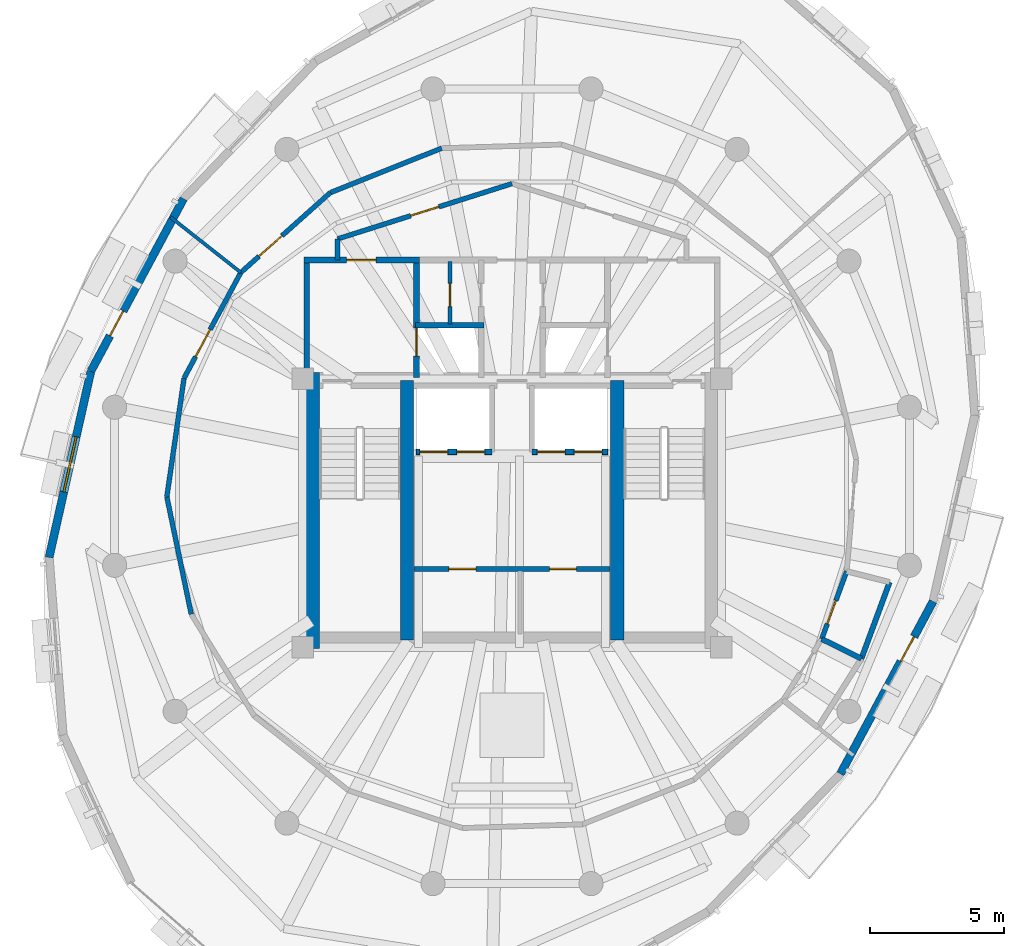
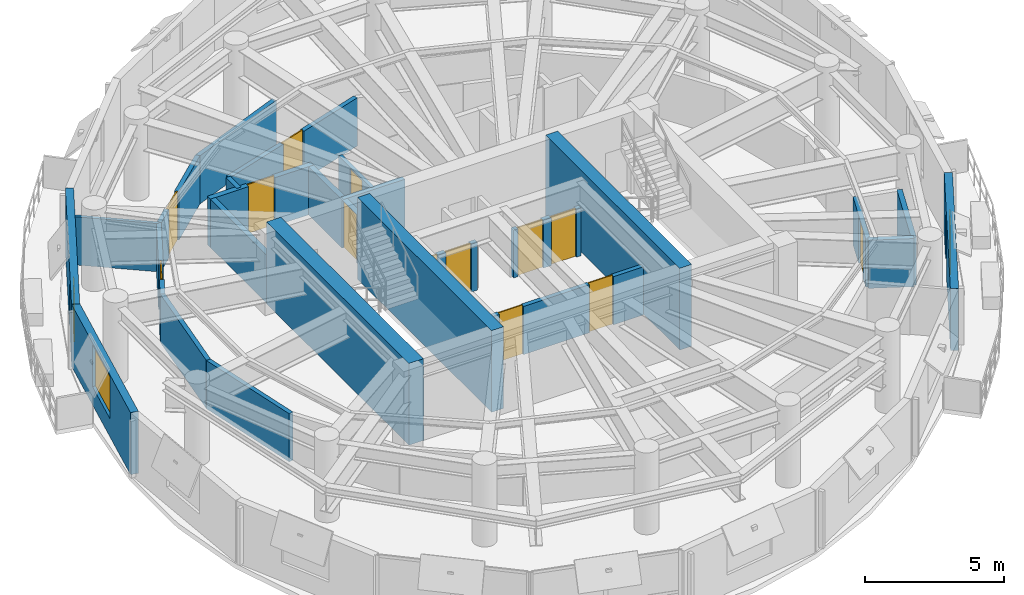
# One storey, part 7 of 11: 25 walls, 15 doors, 1 window, 16 openings.
"""IFC4 building model written with IfcOpenShell, lengths in metres."""

from ifc_helpers import new_model, si_unit, direction, frame, frame_2d, origin, place, context, subcontext, project, spatial, rectangle, extrude, material, layer, layer_set, type_object, element, fill, save


model = new_model("IFC4")

# Units and contexts
model_context = context("Model", 3, precision=1e-05, world=origin(), true_north=direction((0.0, 1.0)))
body_context = subcontext(model_context, "Body", "Model", "MODEL_VIEW")
ifc_project = project(units=[si_unit("LENGTHUNIT", "METRE"), si_unit("AREAUNIT", "SQUARE_METRE"), si_unit("VOLUMEUNIT", "CUBIC_METRE"), si_unit("PLANEANGLEUNIT", "RADIAN"), si_unit("MASSUNIT", "GRAM", prefix="KILO"), si_unit("THERMODYNAMICTEMPERATUREUNIT", "KELVIN"), si_unit("POWERUNIT", "WATT")], contexts=[model_context])

# Site, building, storey
site_placement = place(None, origin())
site = spatial("IfcSite", under=ifc_project, at=site_placement, CompositionType="ELEMENT")
building_placement = place(site_placement, origin())
building = spatial("IfcBuilding", under=site, at=building_placement, Name="Ocrelia Relay Tower", CompositionType="ELEMENT")
storey_placement = place(building_placement, frame((0.0, 0.0, 284.39990234375)))
storey = spatial("IfcBuildingStorey", under=building, at=storey_placement, Name="L71", CompositionType="ELEMENT", Elevation=284.39990234375)

# Walls
ifc_material_1 = material(Name="Concrete C50/60", Category="concrete")
ifc_layer_1 = layer(ifc_material_1, 0.60009765625, Name="Concrete C50/60")
ifc_layer_set_1 = layer_set([ifc_layer_1], Name="Concrete C50/60")
wall_type_1 = type_object("IfcWallType", Name="CW-CORE-600B", PredefinedType="SHEAR", material=ifc_layer_set_1)
wall_1_placement = place(storey_placement, frame((26.52197265625, 19.9619140625, 0.0), z_axis=(0.0, 0.0, 1.0), x_axis=(0.0, 1.0, 0.0)))
element("IfcWall", 1, at=wall_1_placement, inside=storey, type_object=wall_type_1, Name="L71 Core Shear Wall W", PredefinedType="SHEAR", context=body_context, shape_type="SweptSolid", body=[
    extrude(rectangle(XDim=10.276123046875, YDim=0.60009765625, at=frame_2d((5.13818359375, 0.0))), origin(), (0.0, 0.0, 1.0), 3.60009765625),
])
for number, where, z_axis, x_axis, name in (
    (2, (30.087890625, 20.261962890625, 0.0), (0.0, 0.0, 1.0), (0.0, 1.0, 0.0), "L71 Core Shear Wall SPW"),
    (3, (37.922119140625, 20.261962890625, 0.0), (0.0, 0.0, 1.0), (0.0, 1.0, 0.0), "L71 Core Shear Wall SPE"),
):
    element("IfcWall", number, at=place(storey_placement, frame(where, z_axis=z_axis, x_axis=x_axis)), inside=storey, type_object=wall_type_1, Name=name, PredefinedType="SHEAR", context=body_context, shape_type="SweptSolid", body=[
        extrude(rectangle(XDim=9.676025390625, YDim=0.5, at=frame_2d((4.837890625, 0.0))), origin(), (0.0, 0.0, 1.0), 3.60009765625),
    ])

# Wall, openings, doors
ifc_material_2 = material(Name="Gypsum Fireboard Partition EI60", Category="gypsum")
ifc_layer_2 = layer(ifc_material_2, 0.179931640625, Name="Gypsum Fireboard Partition EI60")
ifc_layer_set_2 = layer_set([ifc_layer_2], Name="Gypsum Fireboard Partition EI60")
wall_type_2 = type_object("IfcWallType", Name="W-CORR-EI60-180", PredefinedType="PARTITIONING", material=ifc_layer_set_2)
wall_2_placement = place(storey_placement, frame((30.35009765625, 22.919921875, 0.0), z_axis=(0.0, 0.0, 1.0), x_axis=(1.0, 0.0, 0.0)))
wall_2 = element("IfcWall", 4, at=wall_2_placement, inside=storey, type_object=wall_type_2, Name="L71 Reclaimed Core Room Partition", PredefinedType="PARTITIONING", context=body_context, shape_type="SweptSolid", body=[
    extrude(rectangle(XDim=7.2998046875, YDim=0.179931640625, at=frame_2d((3.64990234375, 0.0))), origin(), (0.0, 0.0, 1.0), 2.1201171875),
])
opening_1_placement = place(wall_2_placement, frame((1.300048828125, 0.0, 0.0)))
opening_1 = element("IfcOpeningElement", 5, at=opening_1_placement, cuts=wall_2, Name="Opening D-RM100", PredefinedType="OPENING", context=body_context, shape_type="SweptSolid", body=[
    extrude(rectangle(XDim=1.0, YDim=2.14990234375, at=frame_2d((0.5, 1.074951171875))), frame((0.0, 0.10009765625, 0.0), z_axis=(0.0, -1.0, 0.0), x_axis=(1.0, 0.0, 0.0)), (0.0, 0.0, 1.0), 0.199951171875),
])
opening_2_placement = place(wall_2_placement, frame((5.050048828125, 0.0, 0.0)))
opening_2 = element("IfcOpeningElement", 6, at=opening_2_placement, cuts=wall_2, Name="Opening D-RM100", PredefinedType="OPENING", context=body_context, shape_type="SweptSolid", body=[
    extrude(rectangle(XDim=1.0, YDim=2.14990234375, at=frame_2d((0.5, 1.074951171875))), frame((0.0, 0.10009765625, 0.0), z_axis=(0.0, -1.0, 0.0), x_axis=(1.0, 0.0, 0.0)), (0.0, 0.0, 1.0), 0.199951171875),
])
ifc_material_3 = material(Name="Acoustic oak veneer fire door", Category="wood")
door_type_1 = type_object("IfcDoorType", Name="DR-ROOM-FD60-1000", OperationType="NOTDEFINED", PredefinedType="DOOR", material=ifc_material_3)
door_1_placement = place(opening_1_placement, origin())
door_1 = element("IfcDoor", 7, at=door_1_placement, inside=storey, type_object=door_type_1, Name="L71 Reclaimed Core Room 1 Door", OperationType="SINGLE_SWING_RIGHT", OverallHeight=2.14990234375, OverallWidth=1.0, PredefinedType="DOOR", context=body_context, shape_type="SweptSolid", body=[
    extrude(rectangle(XDim=1.0, YDim=2.14990234375, at=frame_2d((0.5, 1.074951171875))), frame((0.0, 0.02490234375, 0.0), z_axis=(0.0, -1.0, 0.0), x_axis=(1.0, 0.0, 0.0)), (0.0, 0.0, 1.0), 0.050048828125),
])
fill(opening_1, door_1)
door_2_placement = place(opening_2_placement, origin())
door_2 = element("IfcDoor", 8, at=door_2_placement, inside=storey, type_object=door_type_1, Name="L71 Reclaimed Core Room 2 Door", OperationType="SINGLE_SWING_LEFT", OverallHeight=2.14990234375, OverallWidth=1.0, PredefinedType="DOOR", context=body_context, shape_type="SweptSolid", body=[
    extrude(rectangle(XDim=1.0, YDim=2.14990234375, at=frame_2d((0.5, 1.074951171875))), frame((0.0, 0.02490234375, 0.0), z_axis=(0.0, -1.0, 0.0), x_axis=(1.0, 0.0, 0.0)), (0.0, 0.0, 1.0), 0.050048828125),
])
fill(opening_2, door_2)

# Wall
wall_3_placement = place(storey_placement, frame((27.5, 34.429931640625, 0.0), z_axis=(0.0, 0.0, 1.0), x_axis=(0.0, 1.0, 0.0)))
element("IfcWall", 9, at=wall_3_placement, inside=storey, type_object=wall_type_2, Name="L71 Smoke Lobby West Return", PredefinedType="PARTITIONING", context=body_context, shape_type="SweptSolid", body=[
    extrude(rectangle(XDim=0.7890625, YDim=0.179931640625, at=frame_2d((0.39453125, 0.0))), origin(), (0.0, 0.0, 1.0), 2.1201171875),
])

# Wall, opening, door
wall_4_placement = place(storey_placement, frame((27.5, 35.218994140625, 0.0), z_axis=(0.0, 0.0, 1.0), x_axis=(0.953228121756, 0.302251795518, 0.0)))
wall_4 = element("IfcWall", 10, at=wall_4_placement, inside=storey, type_object=wall_type_2, Name="L71 North Smoke Lobby W Screen Wall", PredefinedType="PARTITIONING", context=body_context, shape_type="SweptSolid", body=[
    extrude(rectangle(XDim=6.81884765625, YDim=0.179931640625, at=frame_2d((3.409423828125, 0.0))), origin(), (0.0, 0.0, 1.0), 2.1201171875),
])
opening_3_placement = place(wall_4_placement, frame((2.859619140625, 0.0, 0.0)))
opening_3 = element("IfcOpeningElement", 11, at=opening_3_placement, cuts=wall_4, Name="Opening D-FD60", PredefinedType="OPENING", context=body_context, shape_type="SweptSolid", body=[
    extrude(rectangle(XDim=1.10009765625, YDim=2.14990234375, at=frame_2d((0.550048828125, 1.074951171875))), frame((0.0, 0.10009765625, 0.0), z_axis=(0.0, -1.0, 0.0), x_axis=(1.0, 0.0, 0.0)), (0.0, 0.0, 1.0), 0.199951171875),
])
ifc_material_4 = material(Name="Timber-core 60-min acoustic fire door", Category="wood")
door_type_2 = type_object("IfcDoorType", Name="DR-LOBBY-FD60-1100", OperationType="NOTDEFINED", PredefinedType="DOOR", material=ifc_material_4)
door_3_placement = place(opening_3_placement, origin())
door_3 = element("IfcDoor", 12, at=door_3_placement, inside=storey, type_object=door_type_2, Name="L71 North Smoke Lobby W Fire Door", OperationType="SINGLE_SWING_RIGHT", OverallHeight=2.14990234375, OverallWidth=1.10009765625, PredefinedType="DOOR", context=body_context, shape_type="SweptSolid", body=[
    extrude(rectangle(XDim=1.10009765625, YDim=2.14990234375, at=frame_2d((0.550048828125, 1.074951171875))), frame((0.0, 0.02490234375, 0.0), z_axis=(0.0, -1.0, 0.0), x_axis=(1.0, 0.0, 0.0)), (0.0, 0.0, 1.0), 0.050048828125),
])
fill(opening_3, door_3)

wall_5_placement = place(storey_placement, frame((45.542724609375, 20.3076171875, 0.0), z_axis=(0.0, 0.0, 1.0), x_axis=(0.346146814597, 0.938180357258, 0.0)))
wall_5 = element("IfcWall", 13, at=wall_5_placement, inside=storey, type_object=wall_type_2, Name="L71 Accessible Toilet Corridor Wall", PredefinedType="PARTITIONING", context=body_context, shape_type="SweptSolid", body=[
    extrude(rectangle(XDim=2.690673828125, YDim=0.179931640625, at=frame_2d((1.34521484375, 0.0))), origin(), (0.0, 0.0, 1.0), 2.1201171875),
])
opening_4_placement = place(wall_5_placement, frame((0.603271484375, 0.0, 0.0)))
opening_4 = element("IfcOpeningElement", 14, at=opening_4_placement, cuts=wall_5, Name="Opening D-WC92", PredefinedType="OPENING", context=body_context, shape_type="SweptSolid", body=[
    extrude(rectangle(XDim=0.919921875, YDim=2.10009765625, at=frame_2d((0.4599609375, 1.050048828125))), frame((0.0, 0.10009765625, 0.0), z_axis=(0.0, -1.0, 0.0), x_axis=(1.0, 0.0, 0.0)), (0.0, 0.0, 1.0), 0.199951171875),
])
ifc_material_5 = material(Name="Laminate washroom door", Category="wood")
door_type_3 = type_object("IfcDoorType", Name="DR-WC-920", OperationType="NOTDEFINED", PredefinedType="DOOR", material=ifc_material_5)
door_4_placement = place(opening_4_placement, origin())
door_4 = element("IfcDoor", 15, at=door_4_placement, inside=storey, type_object=door_type_3, Name="L71 Accessible Toilet Door", OperationType="SINGLE_SWING_LEFT", OverallHeight=2.10009765625, OverallWidth=0.919921875, PredefinedType="DOOR", context=body_context, shape_type="SweptSolid", body=[
    extrude(rectangle(XDim=0.919921875, YDim=2.10009765625, at=frame_2d((0.4599609375, 1.050048828125))), frame((0.0, 0.02490234375, 0.0), z_axis=(0.0, -1.0, 0.0), x_axis=(1.0, 0.0, 0.0)), (0.0, 0.0, 1.0), 0.050048828125),
])
fill(opening_4, door_4)

# Wall
wall_6_placement = place(storey_placement, frame((31.379150390625, 38.600341796875, 0.0), z_axis=(0.0, 0.0, 1.0), x_axis=(-0.928815325545, -0.370542967862, 0.0)))
element("IfcWall", 16, at=wall_6_placement, inside=storey, type_object=wall_type_2, Name="L71 Presidential Conference Hall Corridor Partition 4", PredefinedType="PARTITIONING", context=body_context, shape_type="SweptSolid", body=[
    extrude(rectangle(XDim=4.4697265625, YDim=0.179931640625, at=frame_2d((2.23486328125, 0.0))), origin(), (0.0, 0.0, 1.0), 2.1201171875),
])

# Wall, opening, door
wall_7_placement = place(storey_placement, frame((27.2275390625, 36.944091796875, 0.0), z_axis=(0.0, 0.0, 1.0), x_axis=(-0.74603650921, -0.665905043475, 0.0)))
wall_7 = element("IfcWall", 17, at=wall_7_placement, inside=storey, type_object=wall_type_2, Name="L71 Presidential Conference Hall Corridor Partition 5", PredefinedType="PARTITIONING", context=body_context, shape_type="SweptSolid", body=[
    extrude(rectangle(XDim=4.469482421875, YDim=0.179931640625, at=frame_2d((2.23486328125, 0.0))), origin(), (0.0, 0.0, 1.0), 2.1201171875),
])
opening_5_placement = place(wall_7_placement, frame((2.414794921875, 0.0, 0.0)))
opening_5 = element("IfcOpeningElement", 18, at=opening_5_placement, cuts=wall_7, Name="Opening D-RM115", PredefinedType="OPENING", context=body_context, shape_type="SweptSolid", body=[
    extrude(rectangle(XDim=1.14990234375, YDim=2.14990234375, at=frame_2d((0.574951171875, 1.074951171875))), frame((0.0, 0.10009765625, 0.0), z_axis=(0.0, -1.0, 0.0), x_axis=(1.0, 0.0, 0.0)), (0.0, 0.0, 1.0), 0.199951171875),
])
ifc_material_6 = material(Name="Wide acoustic oak veneer fire door", Category="wood")
door_type_4 = type_object("IfcDoorType", Name="DR-ROOM-1150", OperationType="NOTDEFINED", PredefinedType="DOOR", material=ifc_material_6)
door_5_placement = place(opening_5_placement, origin())
door_5 = element("IfcDoor", 19, at=door_5_placement, inside=storey, type_object=door_type_4, Name="L71 Presidential Conference Hall Entrance Door", OperationType="SINGLE_SWING_LEFT", OverallHeight=2.14990234375, OverallWidth=1.14990234375, PredefinedType="DOOR", context=body_context, shape_type="SweptSolid", body=[
    extrude(rectangle(XDim=1.14990234375, YDim=2.14990234375, at=frame_2d((0.574951171875, 1.074951171875))), frame((0.0, 0.02490234375, 0.0), z_axis=(0.0, -1.0, 0.0), x_axis=(1.0, 0.0, 0.0)), (0.0, 0.0, 1.0), 0.050048828125),
])
fill(opening_5, door_5)

wall_8_placement = place(storey_placement, frame((23.89306640625, 33.9677734375, 0.0), z_axis=(0.0, 0.0, 1.0), x_axis=(-0.473347230505, -0.880875927343, 0.0)))
wall_8 = element("IfcWall", 20, at=wall_8_placement, inside=storey, type_object=wall_type_2, Name="L71 Summit Plenary Hall Corridor Partition 1", PredefinedType="PARTITIONING", context=body_context, shape_type="SweptSolid", body=[
    extrude(rectangle(XDim=4.4697265625, YDim=0.179931640625, at=frame_2d((2.23486328125, 0.0))), origin(), (0.0, 0.0, 1.0), 2.1201171875),
])
opening_6_placement = place(wall_8_placement, frame((2.414794921875, 0.0, 0.0)))
opening_6 = element("IfcOpeningElement", 21, at=opening_6_placement, cuts=wall_8, Name="Opening D-RM115", PredefinedType="OPENING", context=body_context, shape_type="SweptSolid", body=[
    extrude(rectangle(XDim=1.14990234375, YDim=2.14990234375, at=frame_2d((0.574951171875, 1.074951171875))), frame((0.0, 0.10009765625, 0.0), z_axis=(0.0, -1.0, 0.0), x_axis=(1.0, 0.0, 0.0)), (0.0, 0.0, 1.0), 0.199951171875),
])
door_6_placement = place(opening_6_placement, origin())
door_6 = element("IfcDoor", 22, at=door_6_placement, inside=storey, type_object=door_type_4, Name="L71 Summit Plenary Hall Entrance Door", OperationType="SINGLE_SWING_RIGHT", OverallHeight=2.14990234375, OverallWidth=1.14990234375, PredefinedType="DOOR", context=body_context, shape_type="SweptSolid", body=[
    extrude(rectangle(XDim=1.14990234375, YDim=2.14990234375, at=frame_2d((0.574951171875, 1.074951171875))), frame((0.0, 0.02490234375, 0.0), z_axis=(0.0, -1.0, 0.0), x_axis=(1.0, 0.0, 0.0)), (0.0, 0.0, 1.0), 0.050048828125),
])
fill(opening_6, door_6)

# Walls
for number, where, z_axis, x_axis, name in (
    (23, (21.77734375, 30.030517578125, 0.0), (0.0, 0.0, 1.0), (-0.143485669263, -0.989652394892, 0.0), "L71 Summit Plenary Hall Corridor Partition 2"),
    (24, (21.135986328125, 25.60693359375, 0.0), (0.0, 0.0, 1.0), (0.203631417869, -0.979047621751, 0.0), "L71 Summit Plenary Hall Corridor Partition 3"),
):
    element("IfcWall", number, at=place(storey_placement, frame(where, z_axis=z_axis, x_axis=x_axis)), inside=storey, type_object=wall_type_2, Name=name, PredefinedType="PARTITIONING", context=body_context, shape_type="SweptSolid", body=[
        extrude(rectangle(XDim=4.4697265625, YDim=0.179931640625, at=frame_2d((2.23486328125, 0.0))), origin(), (0.0, 0.0, 1.0), 2.1201171875),
    ])

# Wall, opening, door
ifc_material_7 = material(Name="Precast concrete C40/50 with oxide terracotta", Category="masonry")
ifc_layer_3 = layer(ifc_material_7, 0.300048828125, Name="Precast concrete C40/50 with oxide terracotta")
ifc_layer_set_3 = layer_set([ifc_layer_3], Name="Precast concrete C40/50 with oxide terracotta")
wall_type_3 = type_object("IfcWallType", Name="W-EXT-TERR-300", PredefinedType="SOLIDWALL", material=ifc_layer_set_3)
wall_9_placement = place(storey_placement, frame((21.759033203125, 36.716796875, 0.0), z_axis=(0.0, 0.0, 1.0), x_axis=(-0.473319089947, -0.880891048366, 0.0)))
wall_9 = element("IfcWall", 25, at=wall_9_placement, inside=storey, type_object=wall_type_3, Name="L71 Oxide Terracotta Facade Wall 05", PredefinedType="SOLIDWALL", context=body_context, shape_type="SweptSolid", body=[
    extrude(rectangle(XDim=7.29296875, YDim=0.300048828125, at=frame_2d((3.646484375, 0.0))), origin(), (0.0, 0.0, 1.0), 2.72998046875),
])
opening_7_placement = place(wall_9_placement, frame((4.75, 0.0, 0.0)))
opening_7 = element("IfcOpeningElement", 26, at=opening_7_placement, cuts=wall_9, Name="Opening DB-105", PredefinedType="OPENING", context=body_context, shape_type="SweptSolid", body=[
    extrude(rectangle(XDim=1.050048828125, YDim=2.14990234375, at=frame_2d((0.52490234375, 1.074951171875))), frame((0.0, 0.16015625, 0.0), z_axis=(0.0, -1.0, 0.0), x_axis=(1.0, 0.0, 0.0)), (0.0, 0.0, 1.0), 0.320068359375),
])
ifc_material_8 = material(Name="Thermally broken aluminium and clear glass", Category="aluminium")
door_type_5 = type_object("IfcDoorType", Name="DR-BALC-1050", OperationType="NOTDEFINED", PredefinedType="DOOR", material=ifc_material_8)
door_7_placement = place(opening_7_placement, origin())
door_7 = element("IfcDoor", 27, at=door_7_placement, inside=storey, type_object=door_type_5, Name="L71 Planted Loggia Balcony Door B1", OperationType="SINGLE_SWING_LEFT", OverallHeight=2.14990234375, OverallWidth=1.050048828125, PredefinedType="DOOR", context=body_context, shape_type="SweptSolid", body=[
    extrude(rectangle(XDim=1.050048828125, YDim=2.14990234375, at=frame_2d((0.52490234375, 1.074951171875))), frame((0.0, 0.02490234375, 0.0), z_axis=(0.0, -1.0, 0.0), x_axis=(1.0, 0.0, 0.0)), (0.0, 0.0, 1.0), 0.050048828125),
])
fill(opening_7, door_7)

# Wall, opening, window
wall_10_placement = place(storey_placement, frame((18.30712890625, 30.29248046875, 0.0), z_axis=(0.0, 0.0, 1.0), x_axis=(-0.219149670667, -0.975691253341, 0.0)))
wall_10 = element("IfcWall", 28, at=wall_10_placement, inside=storey, type_object=wall_type_3, Name="L71 Oxide Terracotta Facade Wall 06", PredefinedType="SOLIDWALL", context=body_context, shape_type="SweptSolid", body=[
    extrude(rectangle(XDim=7.115234375, YDim=0.300048828125, at=frame_2d((3.5576171875, 0.0))), origin(), (0.0, 0.0, 1.0), 2.72998046875),
])
opening_8_placement = place(wall_10_placement, frame((2.508056640625, 0.0, 0.800048828125)))
opening_8 = element("IfcOpeningElement", 29, at=opening_8_placement, cuts=wall_10, Name="Opening W-07", PredefinedType="OPENING", context=body_context, shape_type="SweptSolid", body=[
    extrude(rectangle(XDim=2.10009765625, YDim=1.85009765625, at=frame_2d((1.050048828125, 0.925048828125))), frame((0.0, 0.16015625, 0.0), z_axis=(0.0, -1.0, 0.0), x_axis=(1.0, 0.0, 0.0)), (0.0, 0.0, 1.0), 0.320068359375),
])
ifc_material_9 = material(Name="Clear double-glazed low-E glass", Category="glass")
window_type = type_object("IfcWindowType", Name="WIN-Z4-2100x2200", PartitioningType="DOUBLE_PANEL_VERTICAL", PredefinedType="WINDOW", material=ifc_material_9)
window_placement = place(opening_8_placement, origin())
window = element("IfcWindow", 30, at=window_placement, inside=storey, type_object=window_type, Name="L71 Facade Module Window 06", OverallHeight=1.85009765625, OverallWidth=2.10009765625, PartitioningType="SINGLE_PANEL", PredefinedType="WINDOW", context=body_context, shape_type="SweptSolid", body=[
    extrude(rectangle(XDim=2.10009765625, YDim=1.85009765625, at=frame_2d((1.050048828125, 0.925048828125))), frame((0.0, 0.030029296875, 0.0), z_axis=(0.0, -1.0, 0.0), x_axis=(1.0, 0.0, 0.0)), (0.0, 0.0, 1.0), 0.06005859375),
])
fill(opening_8, window)

# Wall, opening, door
wall_11_placement = place(storey_placement, frame((46.240966796875, 15.283203125, 0.0), z_axis=(0.0, 0.0, 1.0), x_axis=(0.473319089947, 0.880891048366, 0.0)))
wall_11 = element("IfcWall", 31, at=wall_11_placement, inside=storey, type_object=wall_type_3, Name="L71 Oxide Terracotta Facade Wall 14", PredefinedType="SOLIDWALL", context=body_context, shape_type="SweptSolid", body=[
    extrude(rectangle(XDim=7.29296875, YDim=0.300048828125, at=frame_2d((3.646484375, 0.0))), origin(), (0.0, 0.0, 1.0), 2.72998046875),
])
opening_9_placement = place(wall_11_placement, frame((4.75, 0.0, 0.0)))
opening_9 = element("IfcOpeningElement", 32, at=opening_9_placement, cuts=wall_11, Name="Opening DB-105", PredefinedType="OPENING", context=body_context, shape_type="SweptSolid", body=[
    extrude(rectangle(XDim=1.050048828125, YDim=2.14990234375, at=frame_2d((0.52490234375, 1.074951171875))), frame((0.0, 0.16015625, 0.0), z_axis=(0.0, -1.0, 0.0), x_axis=(1.0, 0.0, 0.0)), (0.0, 0.0, 1.0), 0.320068359375),
])
door_8_placement = place(opening_9_placement, origin())
door_8 = element("IfcDoor", 33, at=door_8_placement, inside=storey, type_object=door_type_5, Name="L71 Planted Loggia Balcony Door B2", OperationType="SINGLE_SWING_LEFT", OverallHeight=2.14990234375, OverallWidth=1.050048828125, PredefinedType="DOOR", context=body_context, shape_type="SweptSolid", body=[
    extrude(rectangle(XDim=1.050048828125, YDim=2.14990234375, at=frame_2d((0.52490234375, 1.074951171875))), frame((0.0, 0.02490234375, 0.0), z_axis=(0.0, -1.0, 0.0), x_axis=(1.0, 0.0, 0.0)), (0.0, 0.0, 1.0), 0.050048828125),
])
fill(opening_9, door_8)

# Wall
ifc_layer_4 = layer(ifc_material_1, 0.219970703125, Name="Concrete C50/60")
ifc_layer_set_4 = layer_set([ifc_layer_4], Name="Concrete C50/60")
wall_type_4 = type_object("IfcWallType", Name="W-FFL-EI120-220", PredefinedType="SOLIDWALL", material=ifc_layer_set_4)
wall_12_placement = place(storey_placement, frame((26.35009765625, 30.050048828125, 0.0), z_axis=(0.0, 0.0, 1.0), x_axis=(0.0, 1.0, 0.0)))
element("IfcWall", 34, at=wall_12_placement, inside=storey, type_object=wall_type_4, Name="L71 W Fire Service Lift Lobby West Wall", PredefinedType="SOLIDWALL", context=body_context, shape_type="SweptSolid", body=[
    extrude(rectangle(XDim=4.3798828125, YDim=0.219970703125, at=frame_2d((2.18994140625, 0.0))), origin(), (0.0, 0.0, 1.0), 2.1201171875),
])

# Wall, opening, door
wall_13_placement = place(storey_placement, frame((30.43994140625, 30.050048828125, 0.0), z_axis=(0.0, 0.0, 1.0), x_axis=(0.0, 1.0, 0.0)))
wall_13 = element("IfcWall", 35, at=wall_13_placement, inside=storey, type_object=wall_type_4, Name="L71 W Fire Service Lift Lobby East Wall", PredefinedType="SOLIDWALL", context=body_context, shape_type="SweptSolid", body=[
    extrude(rectangle(XDim=4.3798828125, YDim=0.219970703125, at=frame_2d((2.18994140625, 0.0))), origin(), (0.0, 0.0, 1.0), 2.1201171875),
])
opening_10_placement = place(wall_13_placement, frame((0.800048828125, 0.0, 0.0)))
opening_10 = element("IfcOpeningElement", 36, at=opening_10_placement, cuts=wall_13, Name="Opening LD-FFL1", PredefinedType="OPENING", context=body_context, shape_type="SweptSolid", body=[
    extrude(rectangle(XDim=1.050048828125, YDim=2.10009765625, at=frame_2d((0.52490234375, 1.050048828125))), frame((0.0, 0.1201171875, 0.0), z_axis=(0.0, -1.0, 0.0), x_axis=(1.0, 0.0, 0.0)), (0.0, 0.0, 1.0), 0.239990234375),
])
ifc_material_10 = material(Name="Brushed stainless steel S355 lift landing door", Category="steel")
door_type_6 = type_object("IfcDoorType", Name="DR-LIFT-LAND-1050", OperationType="DOUBLE_DOOR_SLIDING", PredefinedType="USERDEFINED", material=ifc_material_10)
door_9_placement = place(opening_10_placement, origin())
door_9 = element("IfcDoor", 37, at=door_9_placement, inside=storey, type_object=door_type_6, Name="L71 Firefighting Lift FFL1 Sliding Landing Door", ObjectType="LANDING DOOR", OperationType="DOUBLE_DOOR_SLIDING", OverallHeight=2.10009765625, OverallWidth=1.050048828125, PredefinedType="USERDEFINED", context=body_context, shape_type="SweptSolid", body=[
    extrude(rectangle(XDim=1.050048828125, YDim=2.10009765625, at=frame_2d((0.52490234375, 1.050048828125))), frame((0.0, 0.02490234375, 0.0), z_axis=(0.0, -1.0, 0.0), x_axis=(1.0, 0.0, 0.0)), (0.0, 0.0, 1.0), 0.050048828125),
])
fill(opening_10, door_9)

wall_14_placement = place(storey_placement, frame((26.239990234375, 34.429931640625, 0.0), z_axis=(0.0, 0.0, 1.0), x_axis=(1.0, 0.0, 0.0)))
wall_14 = element("IfcWall", 38, at=wall_14_placement, inside=storey, type_object=wall_type_4, Name="L71 W Fire Service Lift Lobby North Wall", PredefinedType="SOLIDWALL", context=body_context, shape_type="SweptSolid", body=[
    extrude(rectangle(XDim=4.31005859375, YDim=0.219970703125, at=frame_2d((2.155029296875, 0.0))), origin(), (0.0, 0.0, 1.0), 2.1201171875),
])
opening_11_placement = place(wall_14_placement, frame((1.60009765625, 0.0, 0.0)))
opening_11 = element("IfcOpeningElement", 39, at=opening_11_placement, cuts=wall_14, Name="Opening D-FD60", PredefinedType="OPENING", context=body_context, shape_type="SweptSolid", body=[
    extrude(rectangle(XDim=1.10009765625, YDim=2.14990234375, at=frame_2d((0.550048828125, 1.074951171875))), frame((0.0, 0.1201171875, 0.0), z_axis=(0.0, -1.0, 0.0), x_axis=(1.0, 0.0, 0.0)), (0.0, 0.0, 1.0), 0.239990234375),
])
door_10_placement = place(opening_11_placement, origin())
door_10 = element("IfcDoor", 40, at=door_10_placement, inside=storey, type_object=door_type_2, Name="L71 W Fire Service Lift Lobby Exit Door", OperationType="SINGLE_SWING_RIGHT", OverallHeight=2.14990234375, OverallWidth=1.10009765625, PredefinedType="DOOR", context=body_context, shape_type="SweptSolid", body=[
    extrude(rectangle(XDim=1.10009765625, YDim=2.14990234375, at=frame_2d((0.550048828125, 1.074951171875))), frame((0.0, 0.02490234375, 0.0), z_axis=(0.0, -1.0, 0.0), x_axis=(1.0, 0.0, 0.0)), (0.0, 0.0, 1.0), 0.050048828125),
])
fill(opening_11, door_10)

# Wall
ifc_material_11 = material(Name="Acoustic Fireboard Partition EI60", Category="gypsum")
ifc_layer_5 = layer(ifc_material_11, 0.125, Name="Acoustic Fireboard Partition EI60")
ifc_layer_set_5 = layer_set([ifc_layer_5], Name="Acoustic Fireboard Partition EI60")
wall_type_5 = type_object("IfcWallType", Name="W-PART-125", PredefinedType="PARTITIONING", material=ifc_layer_set_5)
wall_15_placement = place(storey_placement, frame((23.89306640625, 33.9677734375, 0.0), z_axis=(0.0, 0.0, 1.0), x_axis=(-0.785353451514, 0.619047620297, 0.0)))
element("IfcWall", 41, at=wall_15_placement, inside=storey, type_object=wall_type_5, Name="L71 Presidential Conference Hall Radial Partition", PredefinedType="PARTITIONING", context=body_context, shape_type="SweptSolid", body=[
    extrude(rectangle(XDim=3.3310546875, YDim=0.125, at=frame_2d((1.66552734375, 0.0))), origin(), (0.0, 0.0, 1.0), 2.1201171875),
])

# Wall, opening, door
ifc_layer_6 = layer(ifc_material_11, 0.14990234375, Name="Acoustic Fireboard Partition EI60")
ifc_layer_set_6 = layer_set([ifc_layer_6], Name="Acoustic Fireboard Partition EI60")
wall_type_6 = type_object("IfcWallType", Name="W-PART-150", PredefinedType="PARTITIONING", material=ifc_layer_set_6)
wall_16_placement = place(storey_placement, frame((31.68994140625, 32.050048828125, 0.0), z_axis=(0.0, 0.0, 1.0), x_axis=(0.0, 1.0, 0.0)))
wall_16 = element("IfcWall", 42, at=wall_16_placement, inside=storey, type_object=wall_type_6, Name="L71 West Core Support Partition", PredefinedType="PARTITIONING", context=body_context, shape_type="SweptSolid", body=[
    extrude(rectangle(XDim=2.329833984375, YDim=0.14990234375, at=frame_2d((1.1650390625, 0.0))), origin(), (0.0, 0.0, 1.0), 2.1201171875),
])
opening_12_placement = place(wall_16_placement, frame((0.64990234375, 0.0, 0.0)))
opening_12 = element("IfcOpeningElement", 43, at=opening_12_placement, cuts=wall_16, Name="Opening D-RS86", PredefinedType="OPENING", context=body_context, shape_type="SweptSolid", body=[
    extrude(rectangle(XDim=0.860107421875, YDim=2.050048828125, at=frame_2d((0.43017578125, 1.02490234375))), frame((0.0, 0.0849609375, 0.0), z_axis=(0.0, -1.0, 0.0), x_axis=(1.0, 0.0, 0.0)), (0.0, 0.0, 1.0), 0.169921875),
])
ifc_material_12 = material(Name="Steel S355 riser access fire door", Category="steel")
door_type_7 = type_object("IfcDoorType", Name="DR-RISER-TRAP-860", OperationType="NOTDEFINED", PredefinedType="TRAPDOOR", material=ifc_material_12)
door_11_placement = place(opening_12_placement, origin())
door_11 = element("IfcDoor", 44, at=door_11_placement, inside=storey, type_object=door_type_7, Name="L71 West Core Store Connecting Door", OperationType="SINGLE_SWING_LEFT", OverallHeight=2.050048828125, OverallWidth=0.860107421875, PredefinedType="TRAPDOOR", context=body_context, shape_type="SweptSolid", body=[
    extrude(rectangle(XDim=0.860107421875, YDim=2.050048828125, at=frame_2d((0.43017578125, 1.02490234375))), frame((0.0, 0.02490234375, 0.0), z_axis=(0.0, -1.0, 0.0), x_axis=(1.0, 0.0, 0.0)), (0.0, 0.0, 1.0), 0.050048828125),
])
fill(opening_12, door_11)

# Walls
ifc_material_13 = material(Name="Moisture-Resistant Fireboard Chase Wall EI60", Category="gypsum")
ifc_layer_7 = layer(ifc_material_13, 0.199951171875, Name="Moisture-Resistant Fireboard Chase Wall EI60")
ifc_layer_set_7 = layer_set([ifc_layer_7], Name="Moisture-Resistant Fireboard Chase Wall EI60")
wall_type_7 = type_object("IfcWallType", Name="W-PLUMB-200", PredefinedType="PLUMBINGWALL", material=ifc_layer_set_7)
wall_17_placement = place(storey_placement, frame((45.542724609375, 20.3076171875, 0.0), z_axis=(0.0, 0.0, 1.0), x_axis=(0.896899007997, -0.442235423112, 0.0)))
element("IfcWall", 45, at=wall_17_placement, inside=storey, type_object=wall_type_7, Name="L71 Staff Toilet Plumbing Radial Wall", PredefinedType="PLUMBINGWALL", context=body_context, shape_type="SweptSolid", body=[
    extrude(rectangle(XDim=1.650146484375, YDim=0.199951171875, at=frame_2d((0.8251953125, 0.0))), origin(), (0.0, 0.0, 1.0), 2.1201171875),
])
wall_18_placement = place(storey_placement, frame((47.022705078125, 19.577880859375, 0.0), z_axis=(0.0, 0.0, 1.0), x_axis=(0.346085504074, 0.938202975837, 0.0)))
element("IfcWall", 46, at=wall_18_placement, inside=storey, type_object=wall_type_7, Name="L71 Accessible Toilet Back Plumbing Wall", PredefinedType="PLUMBINGWALL", context=body_context, shape_type="SweptSolid", body=[
    extrude(rectangle(XDim=3.035400390625, YDim=0.199951171875, at=frame_2d((1.517578125, 0.0))), origin(), (0.0, 0.0, 1.0), 2.1201171875),
])
ifc_layer_8 = layer(ifc_material_1, 0.199951171875, Name="Concrete C50/60")
ifc_layer_set_8 = layer_set([ifc_layer_8], Name="Concrete C50/60")
wall_type_8 = type_object("IfcWallType", Name="W-SHAFT-EI120-200", PredefinedType="SOLIDWALL", material=ifc_layer_set_8)
wall_19_placement = place(storey_placement, frame((30.39990234375, 32.0, 0.0), z_axis=(0.0, 0.0, 1.0), x_axis=(1.0, 0.0, 0.0)))
element("IfcWall", 47, at=wall_19_placement, inside=storey, type_object=wall_type_8, Name="L71 FFL1 Hoistway North Wall", PredefinedType="SOLIDWALL", context=body_context, shape_type="SweptSolid", body=[
    extrude(rectangle(XDim=2.550048828125, YDim=0.199951171875, at=frame_2d((1.27490234375, 0.0))), origin(), (0.0, 0.0, 1.0), 2.1201171875),
])

# Wall, openings, doors
wall_20_placement = place(storey_placement, frame((30.43994140625, 27.280029296875, 0.0), z_axis=(0.0, 0.0, 1.0), x_axis=(1.0, 0.0, 0.0)))
wall_20 = element("IfcWall", 48, at=wall_20_placement, inside=storey, type_object=wall_type_8, Name="L71 High-Rise Lift Hoistway Wall W", PredefinedType="SOLIDWALL", context=body_context, shape_type="SweptSolid", body=[
    extrude(rectangle(XDim=2.81005859375, YDim=0.199951171875, at=frame_2d((1.405029296875, 0.0))), origin(), (0.0, 0.0, 1.0), 2.10009765625),
])
opening_13_placement = place(wall_20_placement, frame((0.1201171875, 0.0, 0.0)))
opening_13 = element("IfcOpeningElement", 49, at=opening_13_placement, cuts=wall_20, Name="Opening LD-PL5", PredefinedType="OPENING", context=body_context, shape_type="SweptSolid", body=[
    extrude(rectangle(XDim=1.050048828125, YDim=2.10009765625, at=frame_2d((0.52490234375, 1.050048828125))), frame((0.0, 0.10986328125, 0.0), z_axis=(0.0, -1.0, 0.0), x_axis=(1.0, 0.0, 0.0)), (0.0, 0.0, 1.0), 0.219970703125),
])
opening_14_placement = place(wall_20_placement, frame((1.5, 0.0, 0.0)))
opening_14 = element("IfcOpeningElement", 50, at=opening_14_placement, cuts=wall_20, Name="Opening LD-PL6", PredefinedType="OPENING", context=body_context, shape_type="SweptSolid", body=[
    extrude(rectangle(XDim=1.050048828125, YDim=2.10009765625, at=frame_2d((0.52490234375, 1.050048828125))), frame((0.0, 0.10986328125, 0.0), z_axis=(0.0, -1.0, 0.0), x_axis=(1.0, 0.0, 0.0)), (0.0, 0.0, 1.0), 0.219970703125),
])
door_12_placement = place(opening_13_placement, origin())
door_12 = element("IfcDoor", 51, at=door_12_placement, inside=storey, type_object=door_type_6, Name="L71 High-Rise Lift PL5 Sliding Landing Door", ObjectType="LANDING DOOR", OperationType="DOUBLE_DOOR_SLIDING", OverallHeight=2.10009765625, OverallWidth=1.050048828125, PredefinedType="USERDEFINED", context=body_context, shape_type="SweptSolid", body=[
    extrude(rectangle(XDim=1.050048828125, YDim=2.10009765625, at=frame_2d((0.52490234375, 1.050048828125))), frame((0.0, 0.02490234375, 0.0), z_axis=(0.0, -1.0, 0.0), x_axis=(1.0, 0.0, 0.0)), (0.0, 0.0, 1.0), 0.050048828125),
])
fill(opening_13, door_12)
door_13_placement = place(opening_14_placement, origin())
door_13 = element("IfcDoor", 52, at=door_13_placement, inside=storey, type_object=door_type_6, Name="L71 High-Rise Lift PL6 Sliding Landing Door", ObjectType="LANDING DOOR", OperationType="DOUBLE_DOOR_SLIDING", OverallHeight=2.10009765625, OverallWidth=1.050048828125, PredefinedType="USERDEFINED", context=body_context, shape_type="SweptSolid", body=[
    extrude(rectangle(XDim=1.050048828125, YDim=2.10009765625, at=frame_2d((0.52490234375, 1.050048828125))), frame((0.0, 0.02490234375, 0.0), z_axis=(0.0, -1.0, 0.0), x_axis=(1.0, 0.0, 0.0)), (0.0, 0.0, 1.0), 0.050048828125),
])
fill(opening_14, door_13)

wall_21_placement = place(storey_placement, frame((34.75, 27.280029296875, 0.0), z_axis=(0.0, 0.0, 1.0), x_axis=(1.0, 0.0, 0.0)))
wall_21 = element("IfcWall", 53, at=wall_21_placement, inside=storey, type_object=wall_type_8, Name="L71 High-Rise Lift Hoistway Wall E", PredefinedType="SOLIDWALL", context=body_context, shape_type="SweptSolid", body=[
    extrude(rectangle(XDim=2.81005859375, YDim=0.199951171875, at=frame_2d((1.405029296875, 0.0))), origin(), (0.0, 0.0, 1.0), 2.10009765625),
])
opening_15_placement = place(wall_21_placement, frame((0.18994140625, 0.0, 0.0)))
opening_15 = element("IfcOpeningElement", 54, at=opening_15_placement, cuts=wall_21, Name="Opening LD-PL7", PredefinedType="OPENING", context=body_context, shape_type="SweptSolid", body=[
    extrude(rectangle(XDim=1.050048828125, YDim=2.10009765625, at=frame_2d((0.52490234375, 1.050048828125))), frame((0.0, 0.10986328125, 0.0), z_axis=(0.0, -1.0, 0.0), x_axis=(1.0, 0.0, 0.0)), (0.0, 0.0, 1.0), 0.219970703125),
])
opening_16_placement = place(wall_21_placement, frame((1.570068359375, 0.0, 0.0)))
opening_16 = element("IfcOpeningElement", 55, at=opening_16_placement, cuts=wall_21, Name="Opening LD-PL8", PredefinedType="OPENING", context=body_context, shape_type="SweptSolid", body=[
    extrude(rectangle(XDim=1.050048828125, YDim=2.10009765625, at=frame_2d((0.52490234375, 1.050048828125))), frame((0.0, 0.10986328125, 0.0), z_axis=(0.0, -1.0, 0.0), x_axis=(1.0, 0.0, 0.0)), (0.0, 0.0, 1.0), 0.219970703125),
])
door_14_placement = place(opening_15_placement, origin())
door_14 = element("IfcDoor", 56, at=door_14_placement, inside=storey, type_object=door_type_6, Name="L71 High-Rise Lift PL7 Sliding Landing Door", ObjectType="LANDING DOOR", OperationType="DOUBLE_DOOR_SLIDING", OverallHeight=2.10009765625, OverallWidth=1.050048828125, PredefinedType="USERDEFINED", context=body_context, shape_type="SweptSolid", body=[
    extrude(rectangle(XDim=1.050048828125, YDim=2.10009765625, at=frame_2d((0.52490234375, 1.050048828125))), frame((0.0, 0.02490234375, 0.0), z_axis=(0.0, -1.0, 0.0), x_axis=(1.0, 0.0, 0.0)), (0.0, 0.0, 1.0), 0.050048828125),
])
fill(opening_15, door_14)
door_15_placement = place(opening_16_placement, origin())
door_15 = element("IfcDoor", 57, at=door_15_placement, inside=storey, type_object=door_type_6, Name="L71 High-Rise Lift PL8 Sliding Landing Door", ObjectType="LANDING DOOR", OperationType="DOUBLE_DOOR_SLIDING", OverallHeight=2.10009765625, OverallWidth=1.050048828125, PredefinedType="USERDEFINED", context=body_context, shape_type="SweptSolid", body=[
    extrude(rectangle(XDim=1.050048828125, YDim=2.10009765625, at=frame_2d((0.52490234375, 1.050048828125))), frame((0.0, 0.02490234375, 0.0), z_axis=(0.0, -1.0, 0.0), x_axis=(1.0, 0.0, 0.0)), (0.0, 0.0, 1.0), 0.050048828125),
])
fill(opening_16, door_15)

save(model, "model.ifc")
